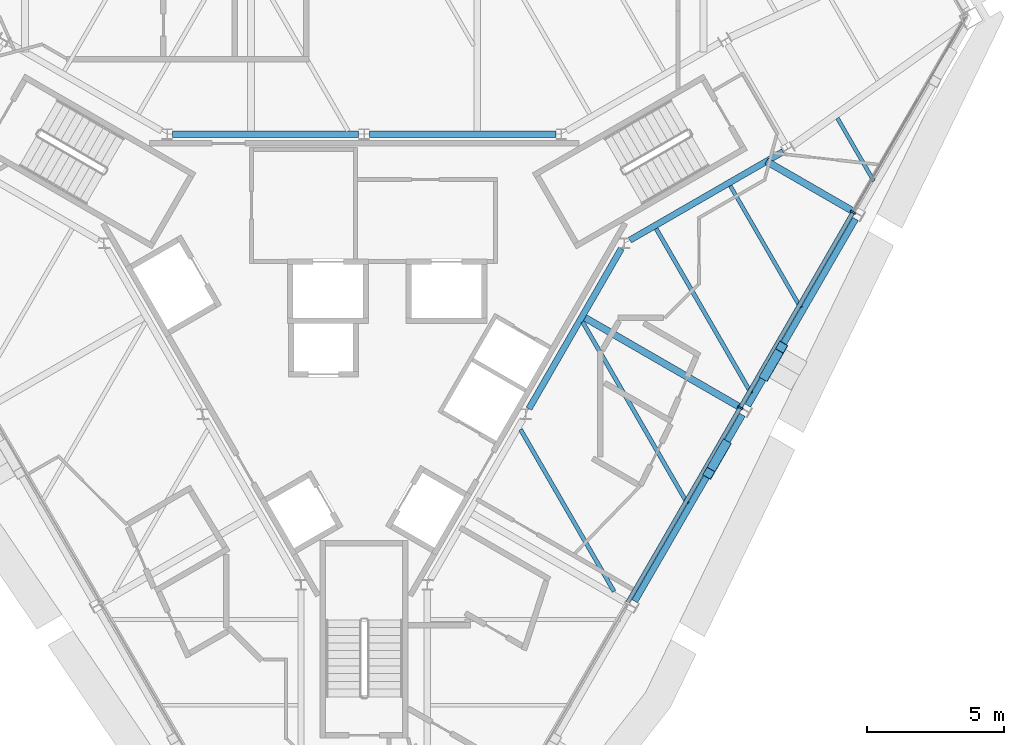
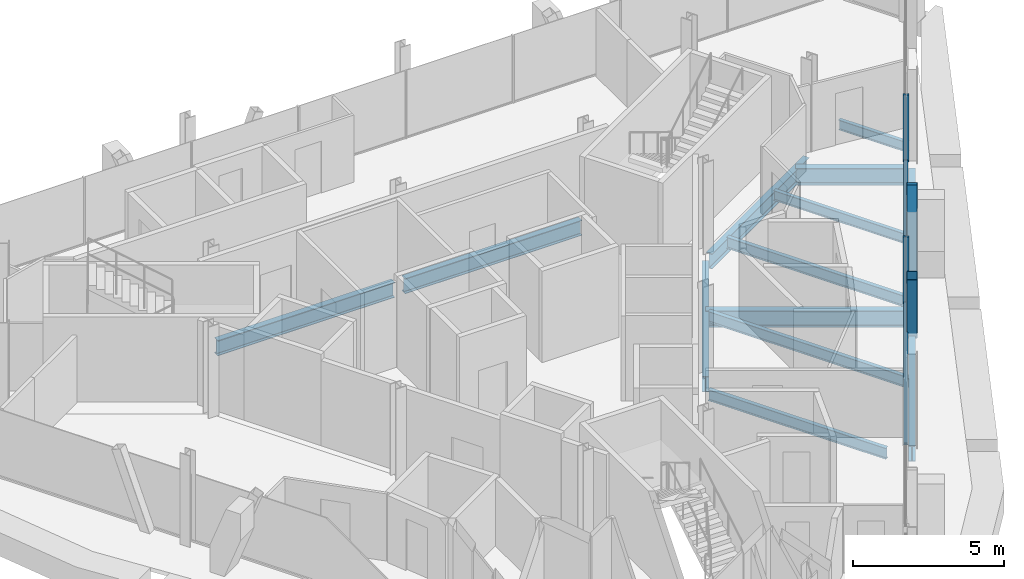
# One storey, part 4 of 11: 13 beams, 6 members, 1 element without a shape of its own.
"""IFC4 building model written with IfcOpenShell, lengths in metres."""

from ifc_helpers import new_model, si_unit, direction, frame, origin, origin_2d, place, context, subcontext, project, spatial, rectangle, hollow_rectangle, i_section, extrude, material, material_profile, profile_set, type_object, element, aggregate, save


model = new_model("IFC4")

# Units and contexts
model_context = context("Model", 3, precision=1e-05, world=origin(), true_north=direction((0.0, 1.0)))
body_context = subcontext(model_context, "Body", "Model", "MODEL_VIEW")
ifc_project = project(units=[si_unit("LENGTHUNIT", "METRE"), si_unit("AREAUNIT", "SQUARE_METRE"), si_unit("VOLUMEUNIT", "CUBIC_METRE"), si_unit("PLANEANGLEUNIT", "RADIAN"), si_unit("MASSUNIT", "GRAM", prefix="KILO")], contexts=[model_context])

# Site, building, storey
site_placement = place(None, origin())
site = spatial("IfcSite", under=ifc_project, at=site_placement, CompositionType="ELEMENT")
building_placement = place(site_placement, origin())
building = spatial("IfcBuilding", under=site, at=building_placement, Name="Verrane Prism Tower", CompositionType="ELEMENT")
storey_placement = place(building_placement, frame((0.0, 0.0, 267.699951171875)))
storey = spatial("IfcBuildingStorey", under=building, at=storey_placement, Name="L67", CompositionType="ELEMENT", Elevation=267.699951171875)

# Beams
ifc_material_1 = material(Name="Steel A992", Category="steel")
ifc_material_profile_1 = material_profile(ifc_material_1, i_section(OverallWidth=0.23046875, OverallDepth=0.6171875, WebThickness=0.01318359375, FlangeThickness=0.022216796875, FilletRadius=0.012939453125, at=origin_2d()), Name="W24x94")
ifc_profile_set_1 = profile_set([ifc_material_profile_1], Name="Steel A992")
beam_type_1 = type_object("IfcBeamType", Name="Core ring girder W24x94", PredefinedType="BEAM", material=ifc_profile_set_1)
beam_1_placement = place(storey_placement, frame((9.679443359375, 2.93505859375, -0.55859375), z_axis=(0.866080992722, 0.499903704773, 0.0), x_axis=(-0.499903704773, 0.866080992722, 0.0)))
element("IfcBeam", 1, at=beam_1_placement, inside=storey, type_object=beam_type_1, Name="Core ring girder L67", PredefinedType="BEAM", context=body_context, shape_type="SweptSolid", body=[
    extrude(i_section(OverallWidth=0.23046875, OverallDepth=0.6171875, WebThickness=0.01318359375, FlangeThickness=0.022216796875, FilletRadius=0.012939453125, at=origin_2d()), origin(), (0.0, 0.0, 1.0), 6.451904296875),
])
for number, where, z_axis, x_axis, name in (
    (2, (6.980712890625, 6.800048828125, -0.55859375), (-1.0, 0.0, 0.0), (0.0, -1.0, 0.0), "Core ring girder L67"),
    (3, (-0.199462890625, 6.800048828125, -0.55859375), (-1.0, 0.0, 0.0), (0.0, -1.0, 0.0), "Core ring girder L67"),
):
    element("IfcBeam", number, at=place(storey_placement, frame(where, z_axis=z_axis, x_axis=x_axis)), inside=storey, type_object=beam_type_1, Name=name, PredefinedType="BEAM", context=body_context, shape_type="SweptSolid", body=[
        extrude(i_section(OverallWidth=0.23046875, OverallDepth=0.6171875, WebThickness=0.01318359375, FlangeThickness=0.022216796875, FilletRadius=0.012939453125, at=origin_2d()), origin(), (0.0, 0.0, 1.0), 6.78125),
    ])
beam_2_placement = place(storey_placement, frame((6.00146484375, -3.20703125, -0.55859375), z_axis=(0.499881421193, 0.866093854468, 0.0), x_axis=(-0.866093854468, 0.499881421193, 0.0)))
element("IfcBeam", 4, at=beam_2_placement, inside=storey, type_object=beam_type_1, Name="Core ring girder L67", PredefinedType="BEAM", context=body_context, shape_type="SweptSolid", body=[
    extrude(i_section(OverallWidth=0.23046875, OverallDepth=0.6171875, WebThickness=0.01318359375, FlangeThickness=0.022216796875, FilletRadius=0.012939453125, at=origin_2d()), origin(), (0.0, 0.0, 1.0), 6.736083984375),
])

# Members
ifc_material_2 = material(Name="Steel A500 Grade C", Category="steel")
ifc_material_profile_2 = material_profile(ifc_material_2, hollow_rectangle(XDim=0.355712890625, YDim=0.355712890625, WallThickness=0.0126953125, InnerFilletRadius=0.00634765625, OuterFilletRadius=0.01904296875, at=origin_2d()), Name="HSS14x14x1/2")
ifc_profile_set_2 = profile_set([ifc_material_profile_2], Name="Steel A500 Grade C")
member_type_1 = type_object("IfcMemberType", Name="Facade brace HSS14x14x1/2", PredefinedType="BRACE", material=ifc_profile_set_2)
member_1_placement = place(storey_placement, frame((13.146484375, -4.529296875, -0.216552734375), z_axis=(-0.173963775893, -0.301160015493, 0.937570930514), x_axis=(0.865914625179, -0.500191825104, 0.0)))
element("IfcMember", 5, at=member_1_placement, inside=storey, type_object=member_type_1, Name="Facade brace SE2 L67", PredefinedType="BRACE", context=body_context, shape_type="SweptSolid", body=[
    extrude(hollow_rectangle(XDim=0.355712890625, YDim=0.355712890625, WallThickness=0.0126953125, InnerFilletRadius=0.00634765625, OuterFilletRadius=0.01904296875, at=origin_2d()), origin(), (0.0, 0.0, 1.0), 3.408935546875),
])
member_2_placement = place(storey_placement, frame((14.61328125, -1.989013671875, -0.216552734375), z_axis=(0.174010693257, 0.30154692564, 0.937437854084), x_axis=(-0.86613421761, 0.499811481546, 0.0)))
element("IfcMember", 6, at=member_2_placement, inside=storey, type_object=member_type_1, Name="Facade brace SE3 L67", PredefinedType="BRACE", context=body_context, shape_type="SweptSolid", body=[
    extrude(hollow_rectangle(XDim=0.355712890625, YDim=0.355712890625, WallThickness=0.0126953125, InnerFilletRadius=0.00634765625, OuterFilletRadius=0.01904296875, at=origin_2d()), origin(), (0.0, 0.0, 1.0), 3.409423828125),
])

# Beams
ifc_material_3 = material(Name="Steel A992", Category="steel")
ifc_material_profile_3 = material_profile(ifc_material_3, i_section(OverallWidth=0.140380859375, OverallDepth=0.40380859375, WebThickness=0.007080078125, FlangeThickness=0.01123046875, FilletRadius=0.01025390625, at=origin_2d()), Name="W16x31")
ifc_profile_set_3 = profile_set([ifc_material_profile_3], Name="Steel A992")
beam_type_2 = type_object("IfcBeamType", Name="Floor beam W16x31", PredefinedType="BEAM", material=ifc_profile_set_3)
beam_3_placement = place(storey_placement, frame((15.902099609375, 0.474609375, -0.36181640625), z_axis=(-0.500011000363, 0.866019052629, 0.0), x_axis=(-0.866019052629, -0.500011000363, 0.0)))
element("IfcBeam", 7, at=beam_3_placement, inside=storey, type_object=beam_type_2, Name="Floor beam L67", PredefinedType="BEAM", context=body_context, shape_type="SweptSolid", body=[
    extrude(i_section(OverallWidth=0.140380859375, OverallDepth=0.40380859375, WebThickness=0.007080078125, FlangeThickness=0.01123046875, FilletRadius=0.01025390625, at=origin_2d()), origin(), (0.0, 0.0, 1.0), 5.126953125),
])
beam_4_placement = place(storey_placement, frame((18.565185546875, 5.089599609375, -0.36181640625), z_axis=(-0.49994082229, 0.866059567356, 0.0), x_axis=(-0.866059567356, -0.49994082229, 0.0)))
element("IfcBeam", 8, at=beam_4_placement, inside=storey, type_object=beam_type_2, Name="Floor beam L67", PredefinedType="BEAM", context=body_context, shape_type="SweptSolid", body=[
    extrude(i_section(OverallWidth=0.140380859375, OverallDepth=0.40380859375, WebThickness=0.007080078125, FlangeThickness=0.01123046875, FilletRadius=0.01025390625, at=origin_2d()), origin(), (0.0, 0.0, 1.0), 2.645263671875),
])
ifc_material_4 = material(Name="Steel A992", Category="steel")
ifc_material_profile_4 = material_profile(ifc_material_4, i_section(OverallWidth=0.15234375, OverallDepth=0.449462890625, WebThickness=0.007568359375, FlangeThickness=0.0107421875, FilletRadius=0.01025390625, at=origin_2d()), Name="W18x35")
ifc_profile_set_4 = profile_set([ifc_material_profile_4], Name="Steel A992")
beam_type_3 = type_object("IfcBeamType", Name="Floor beam W18x35", PredefinedType="BEAM", material=ifc_profile_set_4)
beam_5_placement = place(storey_placement, frame((11.78076171875, -6.6630859375, -0.384765625), z_axis=(-0.499997113229, 0.866027070456, 0.0), x_axis=(-0.866027070456, -0.499997113229, 0.0)))
element("IfcBeam", 9, at=beam_5_placement, inside=storey, type_object=beam_type_3, Name="Floor beam L67", PredefinedType="BEAM", context=body_context, shape_type="SweptSolid", body=[
    extrude(i_section(OverallWidth=0.15234375, OverallDepth=0.449462890625, WebThickness=0.007568359375, FlangeThickness=0.0107421875, FilletRadius=0.01025390625, at=origin_2d()), origin(), (0.0, 0.0, 1.0), 7.64306640625),
])
beam_6_placement = place(storey_placement, frame((9.103271484375, -9.864501953125, -0.384765625), z_axis=(-0.49999337185, 0.866029230515, 0.0), x_axis=(-0.866029230515, -0.49999337185, 0.0)))
element("IfcBeam", 10, at=beam_6_placement, inside=storey, type_object=beam_type_3, Name="Floor beam L67", PredefinedType="BEAM", context=body_context, shape_type="SweptSolid", body=[
    extrude(i_section(OverallWidth=0.15234375, OverallDepth=0.449462890625, WebThickness=0.007568359375, FlangeThickness=0.0107421875, FilletRadius=0.01025390625, at=origin_2d()), origin(), (0.0, 0.0, 1.0), 6.8125),
])
beam_7_placement = place(storey_placement, frame((14.1015625, -2.64599609375, -0.384765625), z_axis=(-0.49999287541, 0.866029517129, 0.0), x_axis=(-0.866029517129, -0.49999287541, 0.0)))
element("IfcBeam", 11, at=beam_7_placement, inside=storey, type_object=beam_type_3, Name="Floor beam L67", PredefinedType="BEAM", context=body_context, shape_type="SweptSolid", body=[
    extrude(i_section(OverallWidth=0.15234375, OverallDepth=0.449462890625, WebThickness=0.007568359375, FlangeThickness=0.0107421875, FilletRadius=0.01025390625, at=origin_2d()), origin(), (0.0, 0.0, 1.0), 6.92919921875),
])

# Curtain wall, members
ifc_material_5 = material(Name="Aluminium framed insulated glazing", Category="aluminium")
curtain_wall_type = type_object("IfcCurtainWallType", Name="Curtain wall CW-A 8400 module", PredefinedType="NOTDEFINED", material=ifc_material_5)
curtain_wall_placement = place(storey_placement, origin())
curtain_wall = element("IfcCurtainWall", 12, at=curtain_wall_placement, inside=storey, type_object=curtain_wall_type, Name="Glazed curtain wall south-east face L67", PredefinedType="NOTDEFINED")
ifc_material_6 = material(Name="Aluminium alloy 6063-T6", Category="aluminium")
ifc_material_profile_5 = material_profile(ifc_material_6, rectangle(XDim=0.199951171875, YDim=0.070068359375, at=origin_2d()), Name="Mullion 70x200 aluminium")
ifc_profile_set_5 = profile_set([ifc_material_profile_5], Name="Aluminium alloy 6063-T6")
member_type_2 = type_object("IfcMemberType", Name="Mullion 70x200 aluminium", PredefinedType="MULLION", material=ifc_profile_set_5)
member_3_placement = place(storey_placement, frame((13.7001953125, -3.1650390625, 0.0), z_axis=(0.0, 0.0, 1.0), x_axis=(-0.866024861728, 0.500000938868, 0.0)))
member_3 = element("IfcMember", 13, at=member_3_placement, type_object=member_type_2, Name="CW66.6 mullion 4", PredefinedType="MULLION", context=body_context, shape_type="SweptSolid", body=[
    extrude(rectangle(XDim=0.199951171875, YDim=0.070068359375, at=origin_2d()), origin(), (0.0, 0.0, 1.0), 2.72314453125),
])
member_4_placement = place(storey_placement, frame((17.8095703125, 3.952392578125, 0.0), z_axis=(0.0, 0.0, 1.0), x_axis=(-0.866024861728, 0.500000938868, 0.0)))
member_4 = element("IfcMember", 14, at=member_4_placement, type_object=member_type_2, Name="CW66.6 mullion 5", PredefinedType="MULLION", context=body_context, shape_type="SweptSolid", body=[
    extrude(rectangle(XDim=0.199951171875, YDim=0.070068359375, at=origin_2d()), origin(), (0.0, 0.0, 1.0), 2.72314453125),
])

# Beams
ifc_material_7 = material(Name="Steel A992", Category="steel")
ifc_material_profile_6 = material_profile(ifc_material_7, i_section(OverallWidth=0.25390625, OverallDepth=0.683349609375, WebThickness=0.012451171875, FlangeThickness=0.01904296875, FilletRadius=0.01513671875, at=origin_2d()), Name="W27x94")
ifc_profile_set_6 = profile_set([ifc_material_profile_6], Name="Steel A992")
beam_type_4 = type_object("IfcBeamType", Name="Radial girder W27x94", PredefinedType="BEAM", material=ifc_profile_set_6)
beam_8_placement = place(storey_placement, frame((13.71728515625, -3.166015625, -0.5615234375), z_axis=(-0.866033637652, 0.499985738252, 0.0), x_axis=(-0.499985738252, -0.866033637652, 0.0)))
element("IfcBeam", 15, at=beam_8_placement, inside=storey, type_object=beam_type_4, Name="Radial girder L67", PredefinedType="BEAM", context=body_context, shape_type="SweptSolid", body=[
    extrude(i_section(OverallWidth=0.25390625, OverallDepth=0.683349609375, WebThickness=0.012451171875, FlangeThickness=0.01904296875, FilletRadius=0.01513671875, at=origin_2d()), origin(), (0.0, 0.0, 1.0), 6.662353515625),
])
beam_9_placement = place(storey_placement, frame((17.837158203125, 3.97412109375, -0.5615234375), z_axis=(-0.866040472627, 0.499973899091, 0.0), x_axis=(-0.499973899091, -0.866040472627, 0.0)))
element("IfcBeam", 16, at=beam_9_placement, inside=storey, type_object=beam_type_4, Name="Radial girder L67", PredefinedType="BEAM", context=body_context, shape_type="SweptSolid", body=[
    extrude(i_section(OverallWidth=0.25390625, OverallDepth=0.683349609375, WebThickness=0.012451171875, FlangeThickness=0.01904296875, FilletRadius=0.01513671875, at=origin_2d()), origin(), (0.0, 0.0, 1.0), 3.670166015625),
])
ifc_material_8 = material(Name="Steel A992", Category="steel")
ifc_material_profile_7 = material_profile(ifc_material_8, i_section(OverallWidth=0.23046875, OverallDepth=0.6171875, WebThickness=0.01318359375, FlangeThickness=0.022216796875, FilletRadius=0.012939453125, at=origin_2d()), Name="W24x94")
ifc_profile_set_7 = profile_set([ifc_material_profile_7], Name="Steel A992")
beam_type_5 = type_object("IfcBeamType", Name="Spandrel beam W24x94", PredefinedType="SPANDREL", material=ifc_profile_set_7)
beam_10_placement = place(storey_placement, frame((9.8583984375, -10.219482421875, -0.468505859375), z_axis=(0.500327915282, 0.865835999015, 0.0), x_axis=(-0.865835999015, 0.500327915282, 0.0)))
element("IfcBeam", 17, at=beam_10_placement, inside=storey, type_object=beam_type_5, Name="Spandrel beam L67", PredefinedType="SPANDREL", context=body_context, shape_type="SweptSolid", body=[
    extrude(i_section(OverallWidth=0.23046875, OverallDepth=0.6171875, WebThickness=0.01318359375, FlangeThickness=0.022216796875, FilletRadius=0.012939453125, at=origin_2d()), origin(), (0.0, 0.0, 1.0), 7.841064453125),
])
beam_11_placement = place(storey_placement, frame((13.978515625, -3.089599609375, -0.468505859375), z_axis=(0.499775405071, 0.866155034902, 0.0), x_axis=(-0.866155034902, 0.499775405071, 0.0)))
element("IfcBeam", 18, at=beam_11_placement, inside=storey, type_object=beam_type_5, Name="Spandrel beam L67", PredefinedType="SPANDREL", context=body_context, shape_type="SweptSolid", body=[
    extrude(i_section(OverallWidth=0.23046875, OverallDepth=0.6171875, WebThickness=0.01318359375, FlangeThickness=0.022216796875, FilletRadius=0.012939453125, at=origin_2d()), origin(), (0.0, 0.0, 1.0), 7.849609375),
])

# Member
ifc_material_9 = material(Name="Aluminium alloy 6063-T6", Category="aluminium")
ifc_material_profile_8 = material_profile(ifc_material_9, rectangle(XDim=0.14990234375, YDim=0.070068359375, at=origin_2d()), Name="Transom 70x150 aluminium")
ifc_profile_set_8 = profile_set([ifc_material_profile_8], Name="Aluminium alloy 6063-T6")
member_type_3 = type_object("IfcMemberType", Name="Transom 70x150 aluminium", PredefinedType="USERDEFINED", material=ifc_profile_set_8)
member_5_placement = place(storey_placement, frame((9.608642578125, -10.251953125, 0.03515625), z_axis=(0.500006018292, 0.866021929094, 0.0), x_axis=(-0.866021929094, 0.500006018292, 0.0)))
member_5 = element("IfcMember", 19, at=member_5_placement, type_object=member_type_3, Name="CW66.6 transom 3", ObjectType="TRANSOM", PredefinedType="USERDEFINED", context=body_context, shape_type="SweptSolid", body=[
    extrude(rectangle(XDim=0.14990234375, YDim=0.070068359375, at=origin_2d()), origin(), (0.0, 0.0, 1.0), 8.1484375),
])

member_6_placement = place(storey_placement, frame((13.7177734375, -3.134521484375, 0.03515625), z_axis=(0.500006018292, 0.866021929094, 0.0), x_axis=(-0.866021929094, 0.500006018292, 0.0)))
member_6 = element("IfcMember", 20, at=member_6_placement, type_object=member_type_3, Name="CW66.6 transom 4", ObjectType="TRANSOM", PredefinedType="USERDEFINED", context=body_context, shape_type="SweptSolid", body=[
    extrude(rectangle(XDim=0.14990234375, YDim=0.070068359375, at=origin_2d()), origin(), (0.0, 0.0, 1.0), 8.1484375),
])

aggregate(curtain_wall, [member_3, member_4, member_5, member_6])

save(model, "model.ifc")
